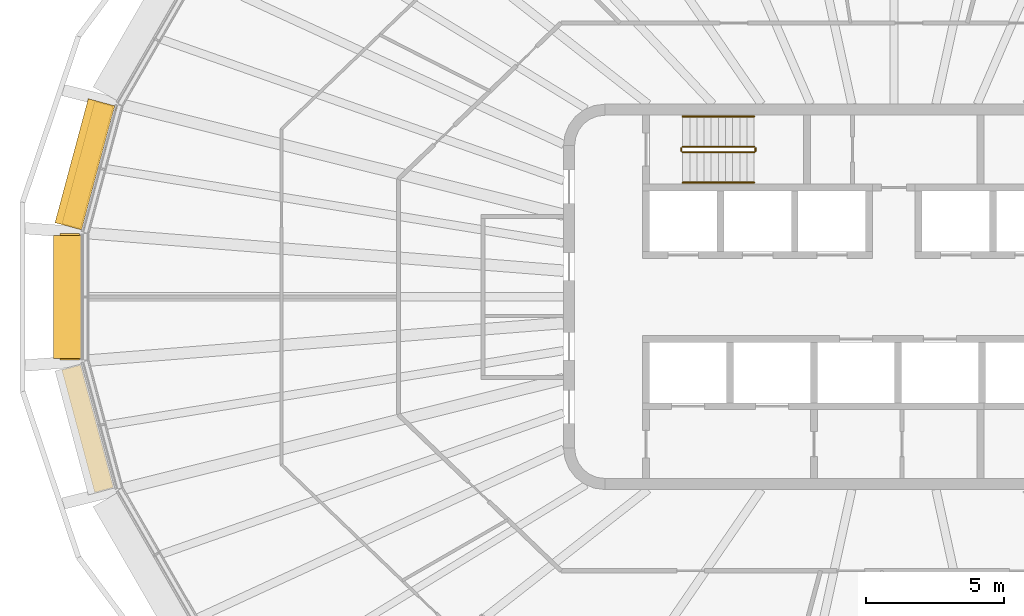
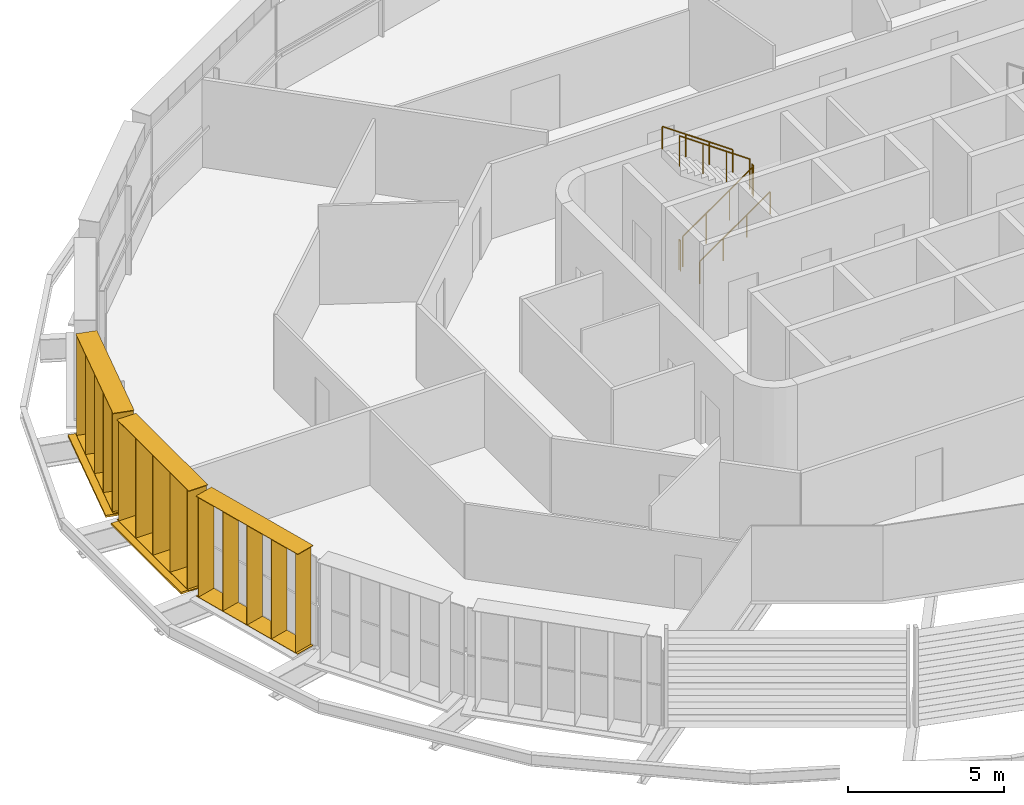
# One storey, part 16 of 19: 6 railings, 5 shading devices.
"""IFC4 building model written with IfcOpenShell, lengths in metres."""

from ifc_helpers import new_model, si_unit, direction, frame, origin, origin_2d, place, context, subcontext, project, spatial, rectangle, circle, extrude, material, type_object, element, save


model = new_model("IFC4")

# Units and contexts
model_context = context("Model", 3, precision=1e-05, world=origin(), true_north=direction((0.0, 1.0)))
body_context = subcontext(model_context, "Body", "Model", "MODEL_VIEW")
ifc_project = project(units=[si_unit("LENGTHUNIT", "METRE"), si_unit("AREAUNIT", "SQUARE_METRE"), si_unit("VOLUMEUNIT", "CUBIC_METRE"), si_unit("PLANEANGLEUNIT", "RADIAN"), si_unit("MASSUNIT", "GRAM", prefix="KILO")], contexts=[model_context])

# Site, building, storey
site_placement = place(None, origin())
site = spatial("IfcSite", under=ifc_project, at=site_placement, CompositionType="ELEMENT")
building_placement = place(site_placement, origin())
building = spatial("IfcBuilding", under=site, at=building_placement, Name="Sahrelin Media Tower", CompositionType="ELEMENT")
storey_placement = place(building_placement, frame((0.0, 0.0, 275.0)))
storey = spatial("IfcBuildingStorey", under=building, at=storey_placement, Name="L60", CompositionType="ELEMENT", Elevation=275.0)

# Shading devices
ifc_material_1 = material(Name="Champagne anodised aluminium 6063-T6", Category="aluminium")
shading_device_type_1 = type_object("IfcShadingDeviceType", Name="Fin cassette", PredefinedType="USERDEFINED", material=ifc_material_1)
placement_1 = place(storey_placement, frame((-28.884765625, 4.681396484375, 0.0), z_axis=(0.0, 0.0, 1.0), x_axis=(0.258807731996, 0.965928857556, 0.0)))
element("IfcShadingDevice", 1, at=placement_1, inside=storey, type_object=shading_device_type_1, Name="L60:FIN:L60-11", ObjectType="FIN", PredefinedType="USERDEFINED", context=body_context, shape_type="SweptSolid", body=[
    extrude(rectangle(XDim=4.60009765625, YDim=0.699951171875, at=origin_2d()), frame((0.0, 0.419921875, 0.0)), (0.0, 0.0, 1.0), 0.02001953125),
    extrude(rectangle(XDim=4.60009765625, YDim=0.699951171875, at=origin_2d()), frame((0.0, 0.419921875, 3.89990234375)), (0.0, 0.0, 1.0), 0.02001953125),
    extrude(rectangle(XDim=0.02001953125, YDim=0.699951171875, at=origin_2d()), frame((-2.199951171875, 0.419921875, 0.010009765625), z_axis=(0.0, 0.0, 1.0), x_axis=(1.0, 0.0, 0.0)), (0.0, 0.0, 1.0), 3.89990234375),
    extrude(rectangle(XDim=0.02001953125, YDim=0.699951171875, at=origin_2d()), frame((-1.10009765625, 0.419921875, 0.010009765625), z_axis=(0.0, 0.0, 1.0), x_axis=(1.0, 0.0, 0.0)), (0.0, 0.0, 1.0), 3.89990234375),
    extrude(rectangle(XDim=0.02001953125, YDim=0.699951171875, at=origin_2d()), frame((0.0, 0.419921875, 0.010009765625), z_axis=(0.0, 0.0, 1.0), x_axis=(1.0, 0.0, 0.0)), (0.0, 0.0, 1.0), 3.89990234375),
    extrude(rectangle(XDim=0.02001953125, YDim=0.699951171875, at=origin_2d()), frame((1.10009765625, 0.419921875, 0.010009765625), z_axis=(0.0, 0.0, 1.0), x_axis=(1.0, 0.0, 0.0)), (0.0, 0.0, 1.0), 3.89990234375),
    extrude(rectangle(XDim=0.02001953125, YDim=0.699951171875, at=origin_2d()), frame((2.199951171875, 0.419921875, 0.010009765625), z_axis=(0.0, 0.0, 1.0), x_axis=(1.0, 0.0, 0.0)), (0.0, 0.0, 1.0), 3.89990234375),
])
placement_2 = place(storey_placement, frame((-29.513916015625, 0.0, 0.0), z_axis=(0.0, 0.0, 1.0), x_axis=(0.0, 1.0, 0.0)))
element("IfcShadingDevice", 2, at=placement_2, inside=storey, type_object=shading_device_type_1, Name="L60:FIN:L60-12", ObjectType="FIN", PredefinedType="USERDEFINED", context=body_context, shape_type="SweptSolid", body=[
    extrude(rectangle(XDim=4.60009765625, YDim=0.699951171875, at=origin_2d()), frame((0.0, 0.419921875, 0.0)), (0.0, 0.0, 1.0), 0.02001953125),
    extrude(rectangle(XDim=4.60009765625, YDim=0.699951171875, at=origin_2d()), frame((0.0, 0.419921875, 3.89990234375)), (0.0, 0.0, 1.0), 0.02001953125),
    extrude(rectangle(XDim=0.02001953125, YDim=0.699951171875, at=origin_2d()), frame((-2.199951171875, 0.419921875, 0.010009765625), z_axis=(0.0, 0.0, 1.0), x_axis=(1.0, 0.0, 0.0)), (0.0, 0.0, 1.0), 3.89990234375),
    extrude(rectangle(XDim=0.02001953125, YDim=0.699951171875, at=origin_2d()), frame((-1.10009765625, 0.419921875, 0.010009765625), z_axis=(0.0, 0.0, 1.0), x_axis=(1.0, 0.0, 0.0)), (0.0, 0.0, 1.0), 3.89990234375),
    extrude(rectangle(XDim=0.02001953125, YDim=0.699951171875, at=origin_2d()), frame((0.0, 0.419921875, 0.010009765625), z_axis=(0.0, 0.0, 1.0), x_axis=(1.0, 0.0, 0.0)), (0.0, 0.0, 1.0), 3.89990234375),
    extrude(rectangle(XDim=0.02001953125, YDim=0.699951171875, at=origin_2d()), frame((1.10009765625, 0.419921875, 0.010009765625), z_axis=(0.0, 0.0, 1.0), x_axis=(1.0, 0.0, 0.0)), (0.0, 0.0, 1.0), 3.89990234375),
    extrude(rectangle(XDim=0.02001953125, YDim=0.699951171875, at=origin_2d()), frame((2.199951171875, 0.419921875, 0.010009765625), z_axis=(0.0, 0.0, 1.0), x_axis=(1.0, 0.0, 0.0)), (0.0, 0.0, 1.0), 3.89990234375),
])
shading_device_3_placement = place(storey_placement, frame((-28.884765625, -4.681396484375, 0.0), z_axis=(0.0, 0.0, 1.0), x_axis=(-0.258807731996, 0.965928857556, 0.0)))
element("IfcShadingDevice", 3, at=shading_device_3_placement, inside=storey, type_object=shading_device_type_1, Name="L60:FIN:L60-13", ObjectType="FIN", PredefinedType="USERDEFINED", context=body_context, shape_type="SweptSolid", body=[
    extrude(rectangle(XDim=4.60009765625, YDim=0.699951171875, at=origin_2d()), frame((0.0, 0.419921875, 0.0)), (0.0, 0.0, 1.0), 0.02001953125),
    extrude(rectangle(XDim=4.60009765625, YDim=0.699951171875, at=origin_2d()), frame((0.0, 0.419921875, 3.89990234375)), (0.0, 0.0, 1.0), 0.02001953125),
    extrude(rectangle(XDim=0.02001953125, YDim=0.699951171875, at=origin_2d()), frame((-2.199951171875, 0.419921875, 0.010009765625), z_axis=(0.0, 0.0, 1.0), x_axis=(1.0, 0.0, 0.0)), (0.0, 0.0, 1.0), 3.89990234375),
    extrude(rectangle(XDim=0.02001953125, YDim=0.699951171875, at=origin_2d()), frame((-1.10009765625, 0.419921875, 0.010009765625), z_axis=(0.0, 0.0, 1.0), x_axis=(1.0, 0.0, 0.0)), (0.0, 0.0, 1.0), 3.89990234375),
    extrude(rectangle(XDim=0.02001953125, YDim=0.699951171875, at=origin_2d()), frame((0.0, 0.419921875, 0.010009765625), z_axis=(0.0, 0.0, 1.0), x_axis=(1.0, 0.0, 0.0)), (0.0, 0.0, 1.0), 3.89990234375),
    extrude(rectangle(XDim=0.02001953125, YDim=0.699951171875, at=origin_2d()), frame((1.10009765625, 0.419921875, 0.010009765625), z_axis=(0.0, 0.0, 1.0), x_axis=(1.0, 0.0, 0.0)), (0.0, 0.0, 1.0), 3.89990234375),
    extrude(rectangle(XDim=0.02001953125, YDim=0.699951171875, at=origin_2d()), frame((2.199951171875, 0.419921875, 0.010009765625), z_axis=(0.0, 0.0, 1.0), x_axis=(1.0, 0.0, 0.0)), (0.0, 0.0, 1.0), 3.89990234375),
])

# Railings
ifc_material_2 = material(Name="Steel S355", Category="steel")
railing_type_1 = type_object("IfcRailingType", Name="Stair guard 1200", PredefinedType="GUARDRAIL", material=ifc_material_2)
railing_1_placement = place(storey_placement, frame((-7.675048828125, 5.25, 0.181884765625)))
element("IfcRailing", 4, at=railing_1_placement, inside=storey, type_object=railing_type_1, Name="L60 ST1 stair guard 1", PredefinedType="GUARDRAIL", context=body_context, shape_type="SweptSolid", body=[
    extrude(circle(Radius=0.02392578125, at=origin_2d()), frame((0.0, 0.0, 1.17578125), z_axis=(0.819521025635, 0.0, 0.573049115296), x_axis=(0.0, 1.0, 0.0)), (0.0, 0.0, 1.0), 3.172607421875),
    extrude(circle(Radius=0.02099609375, at=origin_2d()), origin(), (0.0, 0.0, 1.0), 1.15185546875),
    extrude(circle(Radius=0.02099609375, at=origin_2d()), frame((0.86669921875, 0.0, 0.60595703125)), (0.0, 0.0, 1.0), 1.15185546875),
    extrude(circle(Radius=0.02099609375, at=origin_2d()), frame((1.7333984375, 0.0, 1.212158203125)), (0.0, 0.0, 1.0), 1.15185546875),
    extrude(circle(Radius=0.02099609375, at=origin_2d()), frame((2.60009765625, 0.0, 1.818115234375)), (0.0, 0.0, 1.0), 1.15185546875),
])
railing_2_placement = place(storey_placement, frame((-5.02490234375, 5.300048828125, 2.0)))
element("IfcRailing", 5, at=railing_2_placement, inside=storey, type_object=railing_type_1, Name="L60 ST1 stair guard 2", PredefinedType="GUARDRAIL", context=body_context, shape_type="SweptSolid", body=[
    extrude(circle(Radius=0.02392578125, at=origin_2d()), frame((0.0, 0.0, 1.17578125), z_axis=(0.0, 1.0, 0.0), x_axis=(-1.0, 0.0, 0.0)), (0.0, 0.0, 1.0), 0.099853515625),
    extrude(circle(Radius=0.02099609375, at=origin_2d()), origin(), (0.0, 0.0, 1.0), 1.15185546875),
    extrude(circle(Radius=0.02099609375, at=origin_2d()), frame((0.0, 0.099853515625, 0.0)), (0.0, 0.0, 1.0), 1.15185546875),
])
railing_3_placement = place(storey_placement, frame((-5.074951171875, 5.449951171875, 2.181884765625)))
element("IfcRailing", 6, at=railing_3_placement, inside=storey, type_object=railing_type_1, Name="L60 ST1 stair guard 3", PredefinedType="GUARDRAIL", context=body_context, shape_type="SweptSolid", body=[
    extrude(circle(Radius=0.02392578125, at=origin_2d()), frame((0.0, 0.0, 1.17578125), z_axis=(-0.819521025635, 0.0, 0.573049115296), x_axis=(0.0, -1.0, 0.0)), (0.0, 0.0, 1.0), 3.172607421875),
    extrude(circle(Radius=0.02099609375, at=origin_2d()), origin(), (0.0, 0.0, 1.0), 1.15185546875),
    extrude(circle(Radius=0.02099609375, at=origin_2d()), frame((-0.86669921875, 0.0, 0.60595703125)), (0.0, 0.0, 1.0), 1.15185546875),
    extrude(circle(Radius=0.02099609375, at=origin_2d()), frame((-1.7333984375, 0.0, 1.212158203125)), (0.0, 0.0, 1.0), 1.15185546875),
    extrude(circle(Radius=0.02099609375, at=origin_2d()), frame((-2.60009765625, 0.0, 1.818115234375)), (0.0, 0.0, 1.0), 1.15185546875),
])
railing_4_placement = place(storey_placement, frame((-7.72509765625, 5.300048828125, 0.0)))
element("IfcRailing", 7, at=railing_4_placement, inside=storey, type_object=railing_type_1, Name="L60 ST1 stair guard 4", PredefinedType="GUARDRAIL", context=body_context, shape_type="SweptSolid", body=[
    extrude(circle(Radius=0.02392578125, at=origin_2d()), frame((0.0, 0.0, 1.17578125), z_axis=(0.0, 1.0, 0.0), x_axis=(-1.0, 0.0, 0.0)), (0.0, 0.0, 1.0), 0.099853515625),
    extrude(circle(Radius=0.02099609375, at=origin_2d()), origin(), (0.0, 0.0, 1.0), 1.15185546875),
    extrude(circle(Radius=0.02099609375, at=origin_2d()), frame((0.0, 0.099853515625, 0.0)), (0.0, 0.0, 1.0), 1.15185546875),
])
railing_type_2 = type_object("IfcRailingType", Name="Stair handrail 900", PredefinedType="HANDRAIL", material=ifc_material_2)
railing_5_placement = place(storey_placement, frame((-7.675048828125, 4.14990234375, 0.181884765625)))
element("IfcRailing", 8, at=railing_5_placement, inside=storey, type_object=railing_type_2, Name="L60 ST1 stair handrail 1", PredefinedType="HANDRAIL", context=body_context, shape_type="SweptSolid", body=[
    extrude(circle(Radius=0.02392578125, at=origin_2d()), frame((0.0, 0.0, 0.8759765625), z_axis=(0.819521025635, 0.0, 0.573049115296), x_axis=(0.0, 1.0, 0.0)), (0.0, 0.0, 1.0), 3.172607421875),
    extrude(circle(Radius=0.02099609375, at=origin_2d()), origin(), (0.0, 0.0, 1.0), 0.851806640625),
    extrude(circle(Radius=0.02099609375, at=origin_2d()), frame((0.86669921875, 0.0, 0.60595703125)), (0.0, 0.0, 1.0), 0.851806640625),
    extrude(circle(Radius=0.02099609375, at=origin_2d()), frame((1.7333984375, 0.0, 1.212158203125)), (0.0, 0.0, 1.0), 0.851806640625),
    extrude(circle(Radius=0.02099609375, at=origin_2d()), frame((2.60009765625, 0.0, 1.818115234375)), (0.0, 0.0, 1.0), 0.851806640625),
])
railing_6_placement = place(storey_placement, frame((-5.074951171875, 6.550048828125, 2.181884765625)))
element("IfcRailing", 9, at=railing_6_placement, inside=storey, type_object=railing_type_2, Name="L60 ST1 stair handrail 2", PredefinedType="HANDRAIL", context=body_context, shape_type="SweptSolid", body=[
    extrude(circle(Radius=0.02392578125, at=origin_2d()), frame((0.0, 0.0, 0.8759765625), z_axis=(-0.819521025635, 0.0, 0.573049115296), x_axis=(0.0, -1.0, 0.0)), (0.0, 0.0, 1.0), 3.172607421875),
    extrude(circle(Radius=0.02099609375, at=origin_2d()), origin(), (0.0, 0.0, 1.0), 0.851806640625),
    extrude(circle(Radius=0.02099609375, at=origin_2d()), frame((-0.86669921875, 0.0, 0.60595703125)), (0.0, 0.0, 1.0), 0.851806640625),
    extrude(circle(Radius=0.02099609375, at=origin_2d()), frame((-1.7333984375, 0.0, 1.212158203125)), (0.0, 0.0, 1.0), 0.851806640625),
    extrude(circle(Radius=0.02099609375, at=origin_2d()), frame((-2.60009765625, 0.0, 1.818115234375)), (0.0, 0.0, 1.0), 0.851806640625),
])

# Shading devices
shading_device_type_2 = type_object("IfcShadingDeviceType", Name="Sunshade band", PredefinedType="USERDEFINED", material=ifc_material_1)
element("IfcShadingDevice", 10, at=placement_1, inside=storey, type_object=shading_device_type_2, Name="L60:SUN:L60-11", ObjectType="SUNSHADE", PredefinedType="USERDEFINED", context=body_context, shape_type="SweptSolid", body=[
    extrude(rectangle(XDim=4.66259765625, YDim=0.050048828125, at=origin_2d()), frame((0.0, 0.044921875, -0.55126953125)), (0.0, 0.0, 1.0), 0.471435546875),
    extrude(rectangle(XDim=4.66259765625, YDim=1.0, at=origin_2d()), frame((0.0, 0.52001953125, -0.080078125)), (0.0, 0.0, 1.0), 0.080078125),
    extrude(rectangle(XDim=0.10009765625, YDim=0.074951171875, at=origin_2d()), frame((-2.231201171875, -0.017578125, -0.47021484375)), (0.0, 0.0, 1.0), 0.300048828125),
    extrude(rectangle(XDim=0.10009765625, YDim=0.074951171875, at=origin_2d()), frame((-0.743896484375, -0.017578125, -0.47021484375)), (0.0, 0.0, 1.0), 0.300048828125),
    extrude(rectangle(XDim=0.10009765625, YDim=0.074951171875, at=origin_2d()), frame((0.743896484375, -0.017578125, -0.47021484375)), (0.0, 0.0, 1.0), 0.300048828125),
    extrude(rectangle(XDim=0.10009765625, YDim=0.074951171875, at=origin_2d()), frame((2.231201171875, -0.017578125, -0.47021484375)), (0.0, 0.0, 1.0), 0.300048828125),
])
element("IfcShadingDevice", 11, at=placement_2, inside=storey, type_object=shading_device_type_2, Name="L60:SUN:L60-12", ObjectType="SUNSHADE", PredefinedType="USERDEFINED", context=body_context, shape_type="SweptSolid", body=[
    extrude(rectangle(XDim=4.466064453125, YDim=0.050048828125, at=origin_2d()), frame((0.0, 0.044921875, -0.55126953125)), (0.0, 0.0, 1.0), 0.471435546875),
    extrude(rectangle(XDim=4.466064453125, YDim=1.0, at=origin_2d()), frame((0.0, 0.52001953125, -0.080078125)), (0.0, 0.0, 1.0), 0.080078125),
    extrude(rectangle(XDim=0.10009765625, YDim=0.074951171875, at=origin_2d()), frame((-2.133056640625, -0.017578125, -0.47021484375)), (0.0, 0.0, 1.0), 0.300048828125),
    extrude(rectangle(XDim=0.10009765625, YDim=0.074951171875, at=origin_2d()), frame((-0.7109375, -0.017578125, -0.47021484375)), (0.0, 0.0, 1.0), 0.300048828125),
    extrude(rectangle(XDim=0.10009765625, YDim=0.074951171875, at=origin_2d()), frame((0.7109375, -0.017578125, -0.47021484375)), (0.0, 0.0, 1.0), 0.300048828125),
    extrude(rectangle(XDim=0.10009765625, YDim=0.074951171875, at=origin_2d()), frame((2.133056640625, -0.017578125, -0.47021484375)), (0.0, 0.0, 1.0), 0.300048828125),
])

save(model, "model.ifc")
